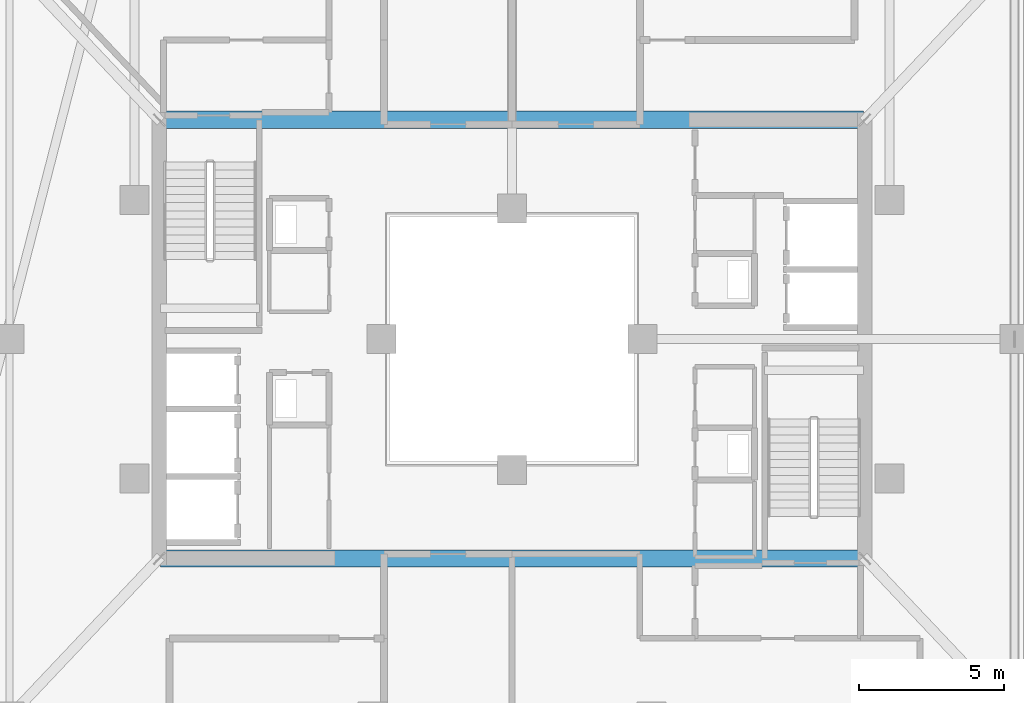
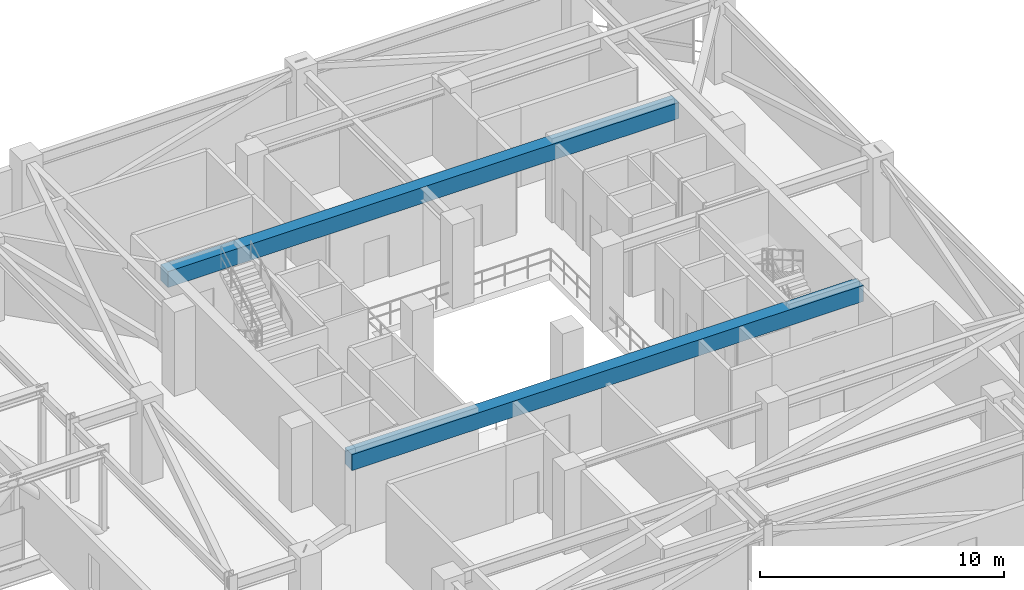
# One storey, part 21 of 42: 2 beams.
"""IFC4 building model written with IfcOpenShell, lengths in metres."""

from ifc_helpers import new_model, si_unit, direction, frame, origin, origin_2d, place, context, subcontext, project, spatial, rectangle, extrude, material, material_profile, profile_set, type_object, element, save


model = new_model("IFC4")

# Units and contexts
model_context = context("Model", 3, precision=1e-05, world=origin(), true_north=direction((0.0, 1.0)))
body_context = subcontext(model_context, "Body", "Model", "MODEL_VIEW")
ifc_project = project(units=[si_unit("LENGTHUNIT", "METRE"), si_unit("AREAUNIT", "SQUARE_METRE"), si_unit("VOLUMEUNIT", "CUBIC_METRE"), si_unit("PLANEANGLEUNIT", "RADIAN"), si_unit("MASSUNIT", "GRAM", prefix="KILO")], contexts=[model_context])

# Site, building, storey
site_placement = place(None, origin())
site = spatial("IfcSite", under=ifc_project, at=site_placement, CompositionType="ELEMENT")
building_placement = place(site_placement, origin())
building = spatial("IfcBuilding", under=site, at=building_placement, Name="Thornwick Lancets Civic Towers", CompositionType="ELEMENT")
storey_placement = place(building_placement, frame((0.0, 0.0, 221.699951171875)))
storey = spatial("IfcBuildingStorey", under=building, at=storey_placement, Name="L59", CompositionType="ELEMENT", Elevation=221.699951171875)

# Beams
ifc_material = material(Name="Concrete C60/75", Category="concrete")
ifc_material_profile = material_profile(ifc_material, rectangle(XDim=0.60009765625, YDim=0.800048828125, at=origin_2d()), Name="RC 600x800")
ifc_profile_set = profile_set([ifc_material_profile], Name="Concrete C60/75")
beam_type = type_object("IfcBeamType", Name="BM_COUP_RC800", PredefinedType="BEAM", material=ifc_profile_set)
for number, where, z_axis, x_axis, name in (
    (1, (76.39990234375, 34.550048828125, 3.56005859375), (1.0, 0.0, 0.0), (0.0, 1.0, 0.0), "CB-L59-B1"),
    (2, (76.39990234375, 19.449951171875, 3.56005859375), (1.0, 0.0, 0.0), (0.0, 1.0, 0.0), "CB-L59-B2"),
):
    element("IfcBeam", number, at=place(storey_placement, frame(where, z_axis=z_axis, x_axis=x_axis)), inside=storey, type_object=beam_type, Name=name, PredefinedType="BEAM", context=body_context, shape_type="SweptSolid", body=[
        extrude(rectangle(XDim=0.60009765625, YDim=0.800048828125, at=origin_2d()), origin(), (0.0, 0.0, 1.0), 24.2001953125),
    ])

save(model, "model.ifc")
